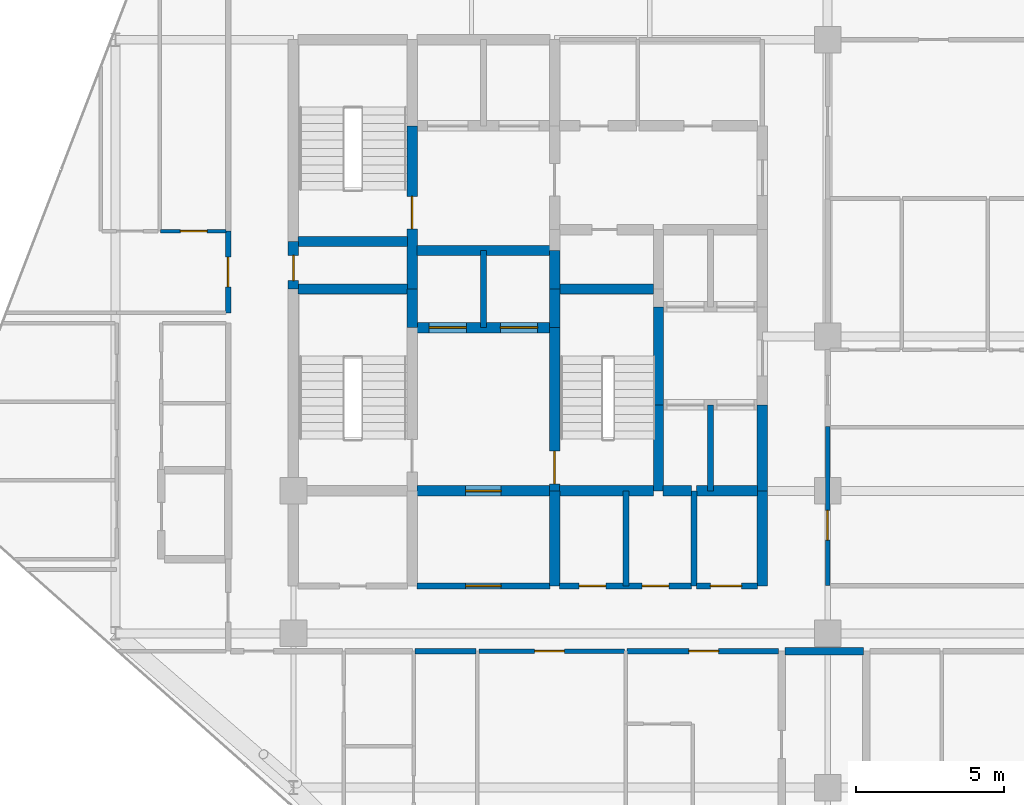
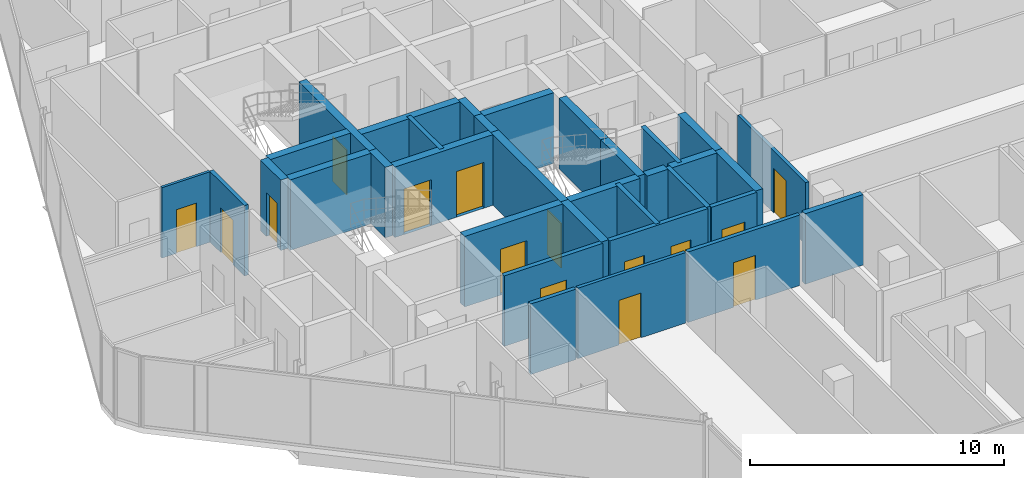
# One storey, part 24 of 29: 34 walls, 15 doors, 15 openings.
"""IFC4 building model written with IfcOpenShell, lengths in metres."""

from ifc_helpers import new_model, si_unit, direction, frame, frame_2d, origin, place, context, subcontext, project, spatial, rectangle, extrude, material, layer, layer_set, type_object, element, fill, save


model = new_model("IFC4")

# Units and contexts
model_context = context("Model", 3, precision=1e-05, world=origin(), true_north=direction((0.0, 1.0)))
body_context = subcontext(model_context, "Body", "Model", "MODEL_VIEW")
ifc_project = project(units=[si_unit("LENGTHUNIT", "METRE"), si_unit("AREAUNIT", "SQUARE_METRE"), si_unit("VOLUMEUNIT", "CUBIC_METRE"), si_unit("PLANEANGLEUNIT", "RADIAN"), si_unit("MASSUNIT", "GRAM", prefix="KILO")], contexts=[model_context])

# Site, building, storey
site_placement = place(None, origin())
site = spatial("IfcSite", under=ifc_project, at=site_placement, CompositionType="ELEMENT")
building_placement = place(site_placement, origin())
building = spatial("IfcBuilding", under=site, at=building_placement, Name="Keshet Zoharim Tower", CompositionType="ELEMENT")
storey_placement = place(building_placement, frame((0.0, 0.0, 192.10009765625)))
storey = spatial("IfcBuildingStorey", under=building, at=storey_placement, Name="L47", CompositionType="ELEMENT", Elevation=192.10009765625)

# Wall, opening, door
ifc_material_1 = material(Name="Gypsum Plasterboard", Category="gypsum")
ifc_layer_1 = layer(ifc_material_1, 0.14990234375)
ifc_layer_set_1 = layer_set([ifc_layer_1], Name="Gypsum Plasterboard")
wall_type_1 = type_object("IfcWallType", Name="WL-CLIN-150", PredefinedType="STANDARD", material=ifc_layer_set_1)
wall_1_placement = place(storey_placement, frame((33.0, 19.510009765625, 0.0), z_axis=(0.0, 0.0, 1.0), x_axis=(0.0, 1.0, 0.0)))
wall_1 = element("IfcWall", 1, at=wall_1_placement, inside=storey, type_object=wall_type_1, Name="L47 Interior Wall 072", PredefinedType="STANDARD", context=body_context, shape_type="SweptSolid", body=[
    extrude(rectangle(XDim=5.35009765625, YDim=0.14990234375, at=frame_2d((2.675048828125, 0.0))), origin(), (0.0, 0.0, 1.0), 2.989990234375),
])
opening_1_placement = place(wall_1_placement, frame((1.533935546875, 0.0, 0.0)))
opening_1 = element("IfcOpeningElement", 2, at=opening_1_placement, cuts=wall_1, Name="Opening D-F310", PredefinedType="OPENING", context=body_context, shape_type="SweptSolid", body=[
    extrude(rectangle(XDim=1.0, YDim=2.14990234375, at=frame_2d((0.5, 1.074951171875))), frame((0.0, 0.0849609375, 0.0), z_axis=(0.0, -1.0, 0.0), x_axis=(1.0, 0.0, 0.0)), (0.0, 0.0, 1.0), 0.169921875),
])
ifc_material_2 = material(Name="Hardwood Timber", Category="wood")
door_type_1 = type_object("IfcDoorType", Name="DR-FD30-100", OperationType="NOTDEFINED", PredefinedType="DOOR", material=ifc_material_2)
door_1_placement = place(opening_1_placement, origin())
door_1 = element("IfcDoor", 3, at=door_1_placement, inside=storey, type_object=door_type_1, Name="L47 South East Residents Services Suite Door 2", OperationType="SINGLE_SWING_RIGHT", OverallHeight=2.14990234375, OverallWidth=1.0, PredefinedType="DOOR", context=body_context, shape_type="SweptSolid", body=[
    extrude(rectangle(XDim=1.0, YDim=2.14990234375, at=frame_2d((0.5, 1.074951171875))), frame((0.0, 0.02490234375, 0.0), z_axis=(0.0, -1.0, 0.0), x_axis=(1.0, 0.0, 0.0)), (0.0, 0.0, 1.0), 0.050048828125),
])
fill(opening_1, door_1)

wall_2_placement = place(storey_placement, frame((21.2451171875, 17.300048828125, 0.0), z_axis=(0.0, 0.0, 1.0), x_axis=(1.0, 0.0, 0.0)))
wall_2 = element("IfcWall", 4, at=wall_2_placement, inside=storey, type_object=wall_type_1, Name="L47 Interior Wall 123", PredefinedType="STANDARD", context=body_context, shape_type="SweptSolid", body=[
    extrude(rectangle(XDim=4.909912109375, YDim=0.14990234375, at=frame_2d((2.455078125, 0.0))), origin(), (0.0, 0.0, 1.0), 3.389892578125),
])
opening_2_placement = place(wall_2_placement, frame((1.884033203125, 0.0, 0.0)))
opening_2 = element("IfcOpeningElement", 5, at=opening_2_placement, cuts=wall_2, Name="Opening D-F310", PredefinedType="OPENING", context=body_context, shape_type="SweptSolid", body=[
    extrude(rectangle(XDim=1.0, YDim=2.14990234375, at=frame_2d((0.5, 1.074951171875))), frame((0.0, 0.0849609375, 0.0), z_axis=(0.0, -1.0, 0.0), x_axis=(1.0, 0.0, 0.0)), (0.0, 0.0, 1.0), 0.169921875),
])
door_2_placement = place(opening_2_placement, origin())
door_2 = element("IfcDoor", 6, at=door_2_placement, inside=storey, type_object=door_type_1, Name="L47 Residents Co-Working Office Door", OperationType="SINGLE_SWING_RIGHT", OverallHeight=2.14990234375, OverallWidth=1.0, PredefinedType="DOOR", context=body_context, shape_type="SweptSolid", body=[
    extrude(rectangle(XDim=1.0, YDim=2.14990234375, at=frame_2d((0.5, 1.074951171875))), frame((0.0, 0.02490234375, 0.0), z_axis=(0.0, -1.0, 0.0), x_axis=(1.0, 0.0, 0.0)), (0.0, 0.0, 1.0), 0.050048828125),
])
fill(opening_2, door_2)

ifc_material_3 = material(Name="Concrete C60/75", Category="concrete")
ifc_layer_2 = layer(ifc_material_3, 0.35009765625)
ifc_layer_set_2 = layer_set([ifc_layer_2], Name="Concrete C60/75")
wall_type_2 = type_object("IfcWallType", Name="WL-CORE-350", PredefinedType="SHEAR", material=ifc_layer_set_2)
wall_3_placement = place(storey_placement, frame((15.0, 29.5, 0.0), z_axis=(0.0, 0.0, 1.0), x_axis=(0.0, 1.0, 0.0)))
wall_3 = element("IfcWall", 7, at=wall_3_placement, inside=storey, type_object=wall_type_2, Name="L47 Core Shear Wall 018", PredefinedType="SHEAR", context=body_context, shape_type="SweptSolid", body=[
    extrude(rectangle(XDim=1.60009765625, YDim=0.35009765625, at=frame_2d((0.800048828125, 0.0))), origin(), (0.0, 0.0, 1.0), 3.389892578125),
])
opening_3_placement = place(wall_3_placement, frame((0.287109375, 0.0, 0.0)))
opening_3 = element("IfcOpeningElement", 8, at=opening_3_placement, cuts=wall_3, Name="Opening D-RS85", PredefinedType="OPENING", context=body_context, shape_type="SweptSolid", body=[
    extrude(rectangle(XDim=0.85009765625, YDim=2.10009765625, at=frame_2d((0.425048828125, 1.050048828125))), frame((0.0, 0.18505859375, 0.0), z_axis=(0.0, -1.0, 0.0), x_axis=(1.0, 0.0, 0.0)), (0.0, 0.0, 1.0), 0.3701171875),
])
door_type_2 = type_object("IfcDoorType", Name="DR-RIS-085", OperationType="NOTDEFINED", PredefinedType="DOOR", material=ifc_material_2)
door_3_placement = place(opening_3_placement, origin())
door_3 = element("IfcDoor", 9, at=door_3_placement, inside=storey, type_object=door_type_2, Name="L47 Electrical Riser Access Cupboard Door", OperationType="SINGLE_SWING_RIGHT", OverallHeight=2.10009765625, OverallWidth=0.85009765625, PredefinedType="DOOR", context=body_context, shape_type="SweptSolid", body=[
    extrude(rectangle(XDim=0.85009765625, YDim=2.10009765625, at=frame_2d((0.425048828125, 1.050048828125))), frame((0.0, 0.02490234375, 0.0), z_axis=(0.0, -1.0, 0.0), x_axis=(1.0, 0.0, 0.0)), (0.0, 0.0, 1.0), 0.050048828125),
])
fill(opening_3, door_3)

# Wall
wall_4_placement = place(storey_placement, frame((19.0, 28.199951171875, 0.0), z_axis=(0.0, 0.0, 1.0), x_axis=(0.0, 1.0, 0.0)))
element("IfcWall", 10, at=wall_4_placement, inside=storey, type_object=wall_type_2, Name="L47 Core Shear Wall 026", PredefinedType="SHEAR", context=body_context, shape_type="SweptSolid", body=[
    extrude(rectangle(XDim=1.300048828125, YDim=0.35009765625, at=frame_2d((0.64990234375, 0.0))), origin(), (0.0, 0.0, 1.0), 3.389892578125),
])

# Wall, opening, door
wall_5_placement = place(storey_placement, frame((19.0, 29.5, 0.0), z_axis=(0.0, 0.0, 1.0), x_axis=(0.0, 1.0, 0.0)))
wall_5 = element("IfcWall", 11, at=wall_5_placement, inside=storey, type_object=wall_type_2, Name="L47 Core Shear Wall 027", PredefinedType="SHEAR", context=body_context, shape_type="SweptSolid", body=[
    extrude(rectangle(XDim=5.5, YDim=0.35009765625, at=frame_2d((2.75, 0.0))), origin(), (0.0, 0.0, 1.0), 3.389892578125),
])
opening_4_placement = place(wall_5_placement, frame((2.02490234375, 0.0, 0.0)))
opening_4 = element("IfcOpeningElement", 12, at=opening_4_placement, cuts=wall_5, Name="Opening D-F611", PredefinedType="OPENING", context=body_context, shape_type="SweptSolid", body=[
    extrude(rectangle(XDim=1.10009765625, YDim=2.14990234375, at=frame_2d((0.550048828125, 1.074951171875))), frame((0.0, 0.18505859375, 0.0), z_axis=(0.0, -1.0, 0.0), x_axis=(1.0, 0.0, 0.0)), (0.0, 0.0, 1.0), 0.3701171875),
])
door_type_3 = type_object("IfcDoorType", Name="DR-FD60-110", OperationType="NOTDEFINED", PredefinedType="DOOR", material=ifc_material_2)
door_4_placement = place(opening_4_placement, origin())
door_4 = element("IfcDoor", 13, at=door_4_placement, inside=storey, type_object=door_type_3, Name="L47 Exit Stair ST-02 Fire Door", OperationType="SINGLE_SWING_LEFT", OverallHeight=2.14990234375, OverallWidth=1.10009765625, PredefinedType="DOOR", context=body_context, shape_type="SweptSolid", body=[
    extrude(rectangle(XDim=1.10009765625, YDim=2.14990234375, at=frame_2d((0.550048828125, 1.074951171875))), frame((0.0, 0.02490234375, 0.0), z_axis=(0.0, -1.0, 0.0), x_axis=(1.0, 0.0, 0.0)), (0.0, 0.0, 1.0), 0.050048828125),
])
fill(opening_4, door_4)

# Wall
wall_6_placement = place(storey_placement, frame((23.800048828125, 19.5, 0.0), z_axis=(0.0, 0.0, 1.0), x_axis=(0.0, 1.0, 0.0)))
element("IfcWall", 14, at=wall_6_placement, inside=storey, type_object=wall_type_2, Name="L47 Core Shear Wall 037", PredefinedType="SHEAR", context=body_context, shape_type="SweptSolid", body=[
    extrude(rectangle(XDim=3.199951171875, YDim=0.35009765625, at=frame_2d((1.60009765625, 0.0))), origin(), (0.0, 0.0, 1.0), 3.389892578125),
])

# Wall, opening, door
wall_7_placement = place(storey_placement, frame((23.800048828125, 22.699951171875, 0.0), z_axis=(0.0, 0.0, 1.0), x_axis=(0.0, 1.0, 0.0)))
wall_7 = element("IfcWall", 15, at=wall_7_placement, inside=storey, type_object=wall_type_2, Name="L47 Core Shear Wall 038", PredefinedType="SHEAR", context=body_context, shape_type="SweptSolid", body=[
    extrude(rectangle(XDim=5.5, YDim=0.35009765625, at=frame_2d((2.75, 0.0))), origin(), (0.0, 0.0, 1.0), 3.389892578125),
])
opening_5_placement = place(wall_7_placement, frame((0.235107421875, 0.0, 0.0)))
opening_5 = element("IfcOpeningElement", 16, at=opening_5_placement, cuts=wall_7, Name="Opening D-F611", PredefinedType="OPENING", context=body_context, shape_type="SweptSolid", body=[
    extrude(rectangle(XDim=1.10009765625, YDim=2.14990234375, at=frame_2d((0.550048828125, 1.074951171875))), frame((0.0, 0.18505859375, 0.0), z_axis=(0.0, -1.0, 0.0), x_axis=(1.0, 0.0, 0.0)), (0.0, 0.0, 1.0), 0.3701171875),
])
door_5_placement = place(opening_5_placement, frame((1.10009765625, 0.0, 0.0), z_axis=(0.0, 0.0, 1.0), x_axis=(-1.0, 0.0, 0.0)))
door_5 = element("IfcDoor", 17, at=door_5_placement, inside=storey, type_object=door_type_3, Name="L47 Exit Stair ST-03 Fire Door", OperationType="SINGLE_SWING_LEFT", OverallHeight=2.14990234375, OverallWidth=1.10009765625, PredefinedType="DOOR", context=body_context, shape_type="SweptSolid", body=[
    extrude(rectangle(XDim=1.10009765625, YDim=2.14990234375, at=frame_2d((0.550048828125, 1.074951171875))), frame((0.0, 0.02490234375, 0.0), z_axis=(0.0, -1.0, 0.0), x_axis=(1.0, 0.0, 0.0)), (0.0, 0.0, 1.0), 0.050048828125),
])
fill(opening_5, door_5)

# Walls
for number, where, z_axis, x_axis, name in (
    (18, (23.800048828125, 28.199951171875, 0.0), (0.0, 0.0, 1.0), (0.0, 1.0, 0.0), "L47 Core Shear Wall 039"),
    (19, (23.800048828125, 29.5, 0.0), (0.0, 0.0, 1.0), (0.0, 1.0, 0.0), "L47 Core Shear Wall 040"),
):
    element("IfcWall", number, at=place(storey_placement, frame(where, z_axis=z_axis, x_axis=x_axis)), inside=storey, type_object=wall_type_2, Name=name, PredefinedType="SHEAR", context=body_context, shape_type="SweptSolid", body=[
        extrude(rectangle(XDim=1.300048828125, YDim=0.35009765625, at=frame_2d((0.64990234375, 0.0))), origin(), (0.0, 0.0, 1.0), 3.389892578125),
    ])
wall_8_placement = place(storey_placement, frame((27.300048828125, 22.699951171875, 0.0), z_axis=(0.0, 0.0, 1.0), x_axis=(0.0, 1.0, 0.0)))
element("IfcWall", 20, at=wall_8_placement, inside=storey, type_object=wall_type_2, Name="L47 Core Shear Wall 051", PredefinedType="SHEAR", context=body_context, shape_type="SweptSolid", body=[
    extrude(rectangle(XDim=2.900146484375, YDim=0.35009765625, at=frame_2d((1.4501953125, 0.0))), origin(), (0.0, 0.0, 1.0), 3.389892578125),
])
wall_9_placement = place(storey_placement, frame((27.300048828125, 25.60009765625, 0.0), z_axis=(0.0, 0.0, 1.0), x_axis=(0.0, 1.0, 0.0)))
element("IfcWall", 21, at=wall_9_placement, inside=storey, type_object=wall_type_2, Name="L47 Core Shear Wall 052", PredefinedType="SHEAR", context=body_context, shape_type="SweptSolid", body=[
    extrude(rectangle(XDim=3.2998046875, YDim=0.35009765625, at=frame_2d((1.64990234375, 0.0))), origin(), (0.0, 0.0, 1.0), 3.389892578125),
])
wall_10_placement = place(storey_placement, frame((30.800048828125, 19.5, 0.0), z_axis=(0.0, 0.0, 1.0), x_axis=(0.0, 1.0, 0.0)))
element("IfcWall", 22, at=wall_10_placement, inside=storey, type_object=wall_type_2, Name="L47 Core Shear Wall 060", PredefinedType="SHEAR", context=body_context, shape_type="SweptSolid", body=[
    extrude(rectangle(XDim=3.199951171875, YDim=0.35009765625, at=frame_2d((1.60009765625, 0.0))), origin(), (0.0, 0.0, 1.0), 3.389892578125),
])
wall_11_placement = place(storey_placement, frame((30.800048828125, 22.699951171875, 0.0), z_axis=(0.0, 0.0, 1.0), x_axis=(0.0, 1.0, 0.0)))
element("IfcWall", 23, at=wall_11_placement, inside=storey, type_object=wall_type_2, Name="L47 Core Shear Wall 061", PredefinedType="SHEAR", context=body_context, shape_type="SweptSolid", body=[
    extrude(rectangle(XDim=2.900146484375, YDim=0.35009765625, at=frame_2d((1.4501953125, 0.0))), origin(), (0.0, 0.0, 1.0), 3.389892578125),
])

# Wall, opening, door
wall_12_placement = place(storey_placement, frame((19.159912109375, 22.699951171875, 0.0), z_axis=(0.0, 0.0, 1.0), x_axis=(1.0, 0.0, 0.0)))
wall_12 = element("IfcWall", 24, at=wall_12_placement, inside=storey, type_object=wall_type_2, Name="L47 Core Shear Wall 143", PredefinedType="SHEAR", context=body_context, shape_type="SweptSolid", body=[
    extrude(rectangle(XDim=4.47998046875, YDim=0.35009765625, at=frame_2d((2.239990234375, 0.0))), origin(), (0.0, 0.0, 1.0), 3.389892578125),
])
opening_6_placement = place(wall_12_placement, frame((1.639892578125, 0.0, 0.0)))
opening_6 = element("IfcOpeningElement", 25, at=opening_6_placement, cuts=wall_12, Name="Opening D-F612", PredefinedType="OPENING", context=body_context, shape_type="SweptSolid", body=[
    extrude(rectangle(XDim=1.199951171875, YDim=2.199951171875, at=frame_2d((0.60009765625, 1.10009765625))), frame((0.0, 0.18505859375, 0.0), z_axis=(0.0, -1.0, 0.0), x_axis=(1.0, 0.0, 0.0)), (0.0, 0.0, 1.0), 0.3701171875),
])
door_type_4 = type_object("IfcDoorType", Name="DR-FD60-120", OperationType="NOTDEFINED", PredefinedType="DOOR", material=ifc_material_2)
door_6_placement = place(opening_6_placement, origin())
door_6 = element("IfcDoor", 26, at=door_6_placement, inside=storey, type_object=door_type_4, Name="L47 South Core Lobby Fire Door", OperationType="SINGLE_SWING_LEFT", OverallHeight=2.199951171875, OverallWidth=1.199951171875, PredefinedType="DOOR", context=body_context, shape_type="SweptSolid", body=[
    extrude(rectangle(XDim=1.199951171875, YDim=2.199951171875, at=frame_2d((0.60009765625, 1.10009765625))), frame((0.0, 0.02490234375, 0.0), z_axis=(0.0, -1.0, 0.0), x_axis=(1.0, 0.0, 0.0)), (0.0, 0.0, 1.0), 0.050048828125),
])
fill(opening_6, door_6)

# Walls
wall_13_placement = place(storey_placement, frame((23.9599609375, 22.699951171875, 0.0), z_axis=(0.0, 0.0, 1.0), x_axis=(1.0, 0.0, 0.0)))
element("IfcWall", 27, at=wall_13_placement, inside=storey, type_object=wall_type_2, Name="L47 Core Shear Wall 144", PredefinedType="SHEAR", context=body_context, shape_type="SweptSolid", body=[
    extrude(rectangle(XDim=3.179931640625, YDim=0.35009765625, at=frame_2d((1.58984375, 0.0))), origin(), (0.0, 0.0, 1.0), 3.389892578125),
])
wall_14_placement = place(storey_placement, frame((27.4599609375, 22.699951171875, 0.0), z_axis=(0.0, 0.0, 1.0), x_axis=(1.0, 0.0, 0.0)))
element("IfcWall", 28, at=wall_14_placement, inside=storey, type_object=wall_type_2, Name="L47 Core Shear Wall 145", PredefinedType="SHEAR", context=body_context, shape_type="SweptSolid", body=[
    extrude(rectangle(XDim=0.955078125, YDim=0.35009765625, at=frame_2d((0.4775390625, 0.0))), origin(), (0.0, 0.0, 1.0), 3.389892578125),
])
wall_15_placement = place(storey_placement, frame((28.5849609375, 22.699951171875, 0.0), z_axis=(0.0, 0.0, 1.0), x_axis=(1.0, 0.0, 0.0)))
element("IfcWall", 29, at=wall_15_placement, inside=storey, type_object=wall_type_2, Name="L47 Core Shear Wall 146", PredefinedType="SHEAR", context=body_context, shape_type="SweptSolid", body=[
    extrude(rectangle(XDim=2.054931640625, YDim=0.35009765625, at=frame_2d((1.02734375, 0.0))), origin(), (0.0, 0.0, 1.0), 3.389892578125),
])

# Wall, openings, doors
wall_16_placement = place(storey_placement, frame((19.159912109375, 28.199951171875, 0.0), z_axis=(0.0, 0.0, 1.0), x_axis=(1.0, 0.0, 0.0)))
wall_16 = element("IfcWall", 30, at=wall_16_placement, inside=storey, type_object=wall_type_2, Name="L47 Core Shear Wall 156", PredefinedType="SHEAR", context=body_context, shape_type="SweptSolid", body=[
    extrude(rectangle(XDim=4.47998046875, YDim=0.35009765625, at=frame_2d((2.239990234375, 0.0))), origin(), (0.0, 0.0, 1.0), 3.389892578125),
])
opening_7_placement = place(wall_16_placement, frame((0.4150390625, 0.0, 0.0)))
opening_7 = element("IfcOpeningElement", 31, at=opening_7_placement, cuts=wall_16, Name="Opening LD-01", PredefinedType="OPENING", context=body_context, shape_type="SweptSolid", body=[
    extrude(rectangle(XDim=1.25, YDim=2.199951171875, at=frame_2d((0.625, 1.10009765625))), frame((0.0, 0.18505859375, 0.0), z_axis=(0.0, -1.0, 0.0), x_axis=(1.0, 0.0, 0.0)), (0.0, 0.0, 1.0), 0.3701171875),
])
opening_8_placement = place(wall_16_placement, frame((2.81494140625, 0.0, 0.0)))
opening_8 = element("IfcOpeningElement", 32, at=opening_8_placement, cuts=wall_16, Name="Opening LD-01", PredefinedType="OPENING", context=body_context, shape_type="SweptSolid", body=[
    extrude(rectangle(XDim=1.25, YDim=2.199951171875, at=frame_2d((0.625, 1.10009765625))), frame((0.0, 0.18505859375, 0.0), z_axis=(0.0, -1.0, 0.0), x_axis=(1.0, 0.0, 0.0)), (0.0, 0.0, 1.0), 0.3701171875),
])
ifc_material_4 = material(Name="Steel S355", Category="steel")
door_type_5 = type_object("IfcDoorType", Name="DR-LD01-125", OperationType="DOUBLE_DOOR_SLIDING", PredefinedType="DOOR", material=ifc_material_4)
door_7_placement = place(opening_7_placement, origin())
door_7 = element("IfcDoor", 33, at=door_7_placement, inside=storey, type_object=door_type_5, Name="L47 Passenger Lift Landing Door LF-09", OperationType="DOUBLE_DOOR_SLIDING", OverallHeight=2.199951171875, OverallWidth=1.25, PredefinedType="DOOR", context=body_context, shape_type="SweptSolid", body=[
    extrude(rectangle(XDim=1.25, YDim=2.199951171875, at=frame_2d((0.625, 1.10009765625))), frame((0.0, 0.02490234375, 0.0), z_axis=(0.0, -1.0, 0.0), x_axis=(1.0, 0.0, 0.0)), (0.0, 0.0, 1.0), 0.050048828125),
])
fill(opening_7, door_7)
door_8_placement = place(opening_8_placement, origin())
door_8 = element("IfcDoor", 34, at=door_8_placement, inside=storey, type_object=door_type_5, Name="L47 Passenger Lift Landing Door LF-10", OperationType="DOUBLE_DOOR_SLIDING", OverallHeight=2.199951171875, OverallWidth=1.25, PredefinedType="DOOR", context=body_context, shape_type="SweptSolid", body=[
    extrude(rectangle(XDim=1.25, YDim=2.199951171875, at=frame_2d((0.625, 1.10009765625))), frame((0.0, 0.02490234375, 0.0), z_axis=(0.0, -1.0, 0.0), x_axis=(1.0, 0.0, 0.0)), (0.0, 0.0, 1.0), 0.050048828125),
])
fill(opening_8, door_8)

# Walls
wall_17_placement = place(storey_placement, frame((15.159912109375, 29.5, 0.0), z_axis=(0.0, 0.0, 1.0), x_axis=(1.0, 0.0, 0.0)))
element("IfcWall", 35, at=wall_17_placement, inside=storey, type_object=wall_type_2, Name="L47 Core Shear Wall 162", PredefinedType="SHEAR", context=body_context, shape_type="SweptSolid", body=[
    extrude(rectangle(XDim=3.68017578125, YDim=0.35009765625, at=frame_2d((1.840087890625, 0.0))), origin(), (0.0, 0.0, 1.0), 3.389892578125),
])
wall_18_placement = place(storey_placement, frame((23.9599609375, 29.5, 0.0), z_axis=(0.0, 0.0, 1.0), x_axis=(1.0, 0.0, 0.0)))
element("IfcWall", 36, at=wall_18_placement, inside=storey, type_object=wall_type_2, Name="L47 Core Shear Wall 163", PredefinedType="SHEAR", context=body_context, shape_type="SweptSolid", body=[
    extrude(rectangle(XDim=3.179931640625, YDim=0.35009765625, at=frame_2d((1.58984375, 0.0))), origin(), (0.0, 0.0, 1.0), 3.389892578125),
])
wall_19_placement = place(storey_placement, frame((19.159912109375, 30.800048828125, 0.0), z_axis=(0.0, 0.0, 1.0), x_axis=(1.0, 0.0, 0.0)))
element("IfcWall", 37, at=wall_19_placement, inside=storey, type_object=wall_type_2, Name="L47 Core Shear Wall 164", PredefinedType="SHEAR", context=body_context, shape_type="SweptSolid", body=[
    extrude(rectangle(XDim=4.47998046875, YDim=0.35009765625, at=frame_2d((2.239990234375, 0.0))), origin(), (0.0, 0.0, 1.0), 3.389892578125),
])
wall_20_placement = place(storey_placement, frame((15.159912109375, 31.10009765625, 0.0), z_axis=(0.0, 0.0, 1.0), x_axis=(1.0, 0.0, 0.0)))
element("IfcWall", 38, at=wall_20_placement, inside=storey, type_object=wall_type_2, Name="L47 Core Shear Wall 165", PredefinedType="SHEAR", context=body_context, shape_type="SweptSolid", body=[
    extrude(rectangle(XDim=3.68017578125, YDim=0.35009765625, at=frame_2d((1.840087890625, 0.0))), origin(), (0.0, 0.0, 1.0), 3.389892578125),
])

# Wall, opening, door
ifc_layer_3 = layer(ifc_material_1, 0.179931640625)
ifc_layer_set_3 = layer_set([ifc_layer_3], Name="Gypsum Plasterboard")
wall_type_3 = type_object("IfcWallType", Name="WL-CORR-180", PredefinedType="STANDARD", material=ifc_layer_set_3)
wall_21_placement = place(storey_placement, frame((12.800048828125, 28.699951171875, 0.0), z_axis=(0.0, 0.0, 1.0), x_axis=(0.0, 1.0, 0.0)))
wall_21 = element("IfcWall", 39, at=wall_21_placement, inside=storey, type_object=wall_type_3, Name="L47 Interior Wall 011", PredefinedType="STANDARD", context=body_context, shape_type="SweptSolid", body=[
    extrude(rectangle(XDim=2.75, YDim=0.179931640625, at=frame_2d((1.375, 0.0))), origin(), (0.0, 0.0, 1.0), 3.389892578125),
])
opening_9_placement = place(wall_21_placement, frame((0.875, 0.0, 0.0)))
opening_9 = element("IfcOpeningElement", 40, at=opening_9_placement, cuts=wall_21, Name="Opening D-F310", PredefinedType="OPENING", context=body_context, shape_type="SweptSolid", body=[
    extrude(rectangle(XDim=1.0, YDim=2.14990234375, at=frame_2d((0.5, 1.074951171875))), frame((0.0, 0.10009765625, 0.0), z_axis=(0.0, -1.0, 0.0), x_axis=(1.0, 0.0, 0.0)), (0.0, 0.0, 1.0), 0.199951171875),
])
door_9_placement = place(opening_9_placement, origin())
door_9 = element("IfcDoor", 41, at=door_9_placement, inside=storey, type_object=door_type_1, Name="Apartment 4707 Entrance Door", OperationType="SINGLE_SWING_LEFT", OverallHeight=2.14990234375, OverallWidth=1.0, PredefinedType="DOOR", context=body_context, shape_type="SweptSolid", body=[
    extrude(rectangle(XDim=1.0, YDim=2.14990234375, at=frame_2d((0.5, 1.074951171875))), frame((0.0, 0.02490234375, 0.0), z_axis=(0.0, -1.0, 0.0), x_axis=(1.0, 0.0, 0.0)), (0.0, 0.0, 1.0), 0.050048828125),
])
fill(opening_9, door_9)

# Wall
wall_22_placement = place(storey_placement, frame((19.094970703125, 17.300048828125, 0.0), z_axis=(0.0, 0.0, 1.0), x_axis=(1.0, 0.0, 0.0)))
element("IfcWall", 42, at=wall_22_placement, inside=storey, type_object=wall_type_3, Name="L47 Interior Wall 122", PredefinedType="STANDARD", context=body_context, shape_type="SweptSolid", body=[
    extrude(rectangle(XDim=2.06005859375, YDim=0.179931640625, at=frame_2d((1.030029296875, 0.0))), origin(), (0.0, 0.0, 1.0), 3.389892578125),
])

# Wall, opening, door
wall_23_placement = place(storey_placement, frame((26.2451171875, 17.300048828125, 0.0), z_axis=(0.0, 0.0, 1.0), x_axis=(1.0, 0.0, 0.0)))
wall_23 = element("IfcWall", 43, at=wall_23_placement, inside=storey, type_object=wall_type_3, Name="L47 Interior Wall 124", PredefinedType="STANDARD", context=body_context, shape_type="SweptSolid", body=[
    extrude(rectangle(XDim=5.094970703125, YDim=0.179931640625, at=frame_2d((2.54736328125, 0.0))), origin(), (0.0, 0.0, 1.0), 3.389892578125),
])
opening_10_placement = place(wall_23_placement, frame((2.080078125, 0.0, 0.0)))
opening_10 = element("IfcOpeningElement", 44, at=opening_10_placement, cuts=wall_23, Name="Opening D-F310", PredefinedType="OPENING", context=body_context, shape_type="SweptSolid", body=[
    extrude(rectangle(XDim=1.0, YDim=2.14990234375, at=frame_2d((0.5, 1.074951171875))), frame((0.0, 0.10009765625, 0.0), z_axis=(0.0, -1.0, 0.0), x_axis=(1.0, 0.0, 0.0)), (0.0, 0.0, 1.0), 0.199951171875),
])
door_10_placement = place(opening_10_placement, origin())
door_10 = element("IfcDoor", 45, at=door_10_placement, inside=storey, type_object=door_type_1, Name="Apartment 4702 Entrance Door", OperationType="SINGLE_SWING_LEFT", OverallHeight=2.14990234375, OverallWidth=1.0, PredefinedType="DOOR", context=body_context, shape_type="SweptSolid", body=[
    extrude(rectangle(XDim=1.0, YDim=2.14990234375, at=frame_2d((0.5, 1.074951171875))), frame((0.0, 0.02490234375, 0.0), z_axis=(0.0, -1.0, 0.0), x_axis=(1.0, 0.0, 0.0)), (0.0, 0.0, 1.0), 0.050048828125),
])
fill(opening_10, door_10)

# Walls
ifc_material_5 = material(Name="Concrete C50/60", Category="concrete")
ifc_layer_4 = layer(ifc_material_5, 0.199951171875)
ifc_layer_set_4 = layer_set([ifc_layer_4], Name="Concrete C50/60")
wall_type_4 = type_object("IfcWallType", Name="WL-FIRE-200", PredefinedType="STANDARD", material=ifc_layer_set_4)
wall_24_placement = place(storey_placement, frame((21.39990234375, 28.199951171875, 0.0), z_axis=(0.0, 0.0, 1.0), x_axis=(0.0, 1.0, 0.0)))
element("IfcWall", 46, at=wall_24_placement, inside=storey, type_object=wall_type_4, Name="L47 Interior Wall 034", PredefinedType="STANDARD", context=body_context, shape_type="SweptSolid", body=[
    extrude(rectangle(XDim=2.60009765625, YDim=0.199951171875, at=frame_2d((1.300048828125, 0.0))), origin(), (0.0, 0.0, 1.0), 3.389892578125),
])
for number, where, z_axis, x_axis, name in (
    (47, (26.199951171875, 19.5, 0.0), (0.0, 0.0, 1.0), (0.0, 1.0, 0.0), "L47 Interior Wall 047"),
    (48, (28.5, 19.5, 0.0), (0.0, 0.0, 1.0), (0.0, 1.0, 0.0), "L47 Interior Wall 056"),
):
    element("IfcWall", number, at=place(storey_placement, frame(where, z_axis=z_axis, x_axis=x_axis)), inside=storey, type_object=wall_type_4, Name=name, PredefinedType="STANDARD", context=body_context, shape_type="SweptSolid", body=[
        extrude(rectangle(XDim=3.199951171875, YDim=0.199951171875, at=frame_2d((1.60009765625, 0.0))), origin(), (0.0, 0.0, 1.0), 3.389892578125),
    ])
wall_25_placement = place(storey_placement, frame((29.050048828125, 22.699951171875, 0.0), z_axis=(0.0, 0.0, 1.0), x_axis=(0.0, 1.0, 0.0)))
element("IfcWall", 49, at=wall_25_placement, inside=storey, type_object=wall_type_4, Name="L47 Interior Wall 058", PredefinedType="STANDARD", context=body_context, shape_type="SweptSolid", body=[
    extrude(rectangle(XDim=2.900146484375, YDim=0.199951171875, at=frame_2d((1.4501953125, 0.0))), origin(), (0.0, 0.0, 1.0), 3.389892578125),
])

# Wall, opening, door
wall_26_placement = place(storey_placement, frame((19.159912109375, 19.5, 0.0), z_axis=(0.0, 0.0, 1.0), x_axis=(1.0, 0.0, 0.0)))
wall_26 = element("IfcWall", 50, at=wall_26_placement, inside=storey, type_object=wall_type_4, Name="L47 Interior Wall 135", PredefinedType="STANDARD", context=body_context, shape_type="SweptSolid", body=[
    extrude(rectangle(XDim=4.47998046875, YDim=0.199951171875, at=frame_2d((2.239990234375, 0.0))), origin(), (0.0, 0.0, 1.0), 3.389892578125),
])
opening_11_placement = place(wall_26_placement, frame((1.639892578125, 0.0, 0.0)))
opening_11 = element("IfcOpeningElement", 51, at=opening_11_placement, cuts=wall_26, Name="Opening D-F612", PredefinedType="OPENING", context=body_context, shape_type="SweptSolid", body=[
    extrude(rectangle(XDim=1.199951171875, YDim=2.199951171875, at=frame_2d((0.60009765625, 1.10009765625))), frame((0.0, 0.10986328125, 0.0), z_axis=(0.0, -1.0, 0.0), x_axis=(1.0, 0.0, 0.0)), (0.0, 0.0, 1.0), 0.219970703125),
])
door_11_placement = place(opening_11_placement, origin())
door_11 = element("IfcDoor", 52, at=door_11_placement, inside=storey, type_object=door_type_4, Name="L47 South Vestibule Corridor Door", OperationType="SINGLE_SWING_RIGHT", OverallHeight=2.199951171875, OverallWidth=1.199951171875, PredefinedType="DOOR", context=body_context, shape_type="SweptSolid", body=[
    extrude(rectangle(XDim=1.199951171875, YDim=2.199951171875, at=frame_2d((0.60009765625, 1.10009765625))), frame((0.0, 0.02490234375, 0.0), z_axis=(0.0, -1.0, 0.0), x_axis=(1.0, 0.0, 0.0)), (0.0, 0.0, 1.0), 0.050048828125),
])
fill(opening_11, door_11)

# Wall, openings, doors
wall_27_placement = place(storey_placement, frame((23.9599609375, 19.5, 0.0), z_axis=(0.0, 0.0, 1.0), x_axis=(1.0, 0.0, 0.0)))
wall_27 = element("IfcWall", 53, at=wall_27_placement, inside=storey, type_object=wall_type_4, Name="L47 Interior Wall 136", PredefinedType="STANDARD", context=body_context, shape_type="SweptSolid", body=[
    extrude(rectangle(XDim=4.455078125, YDim=0.199951171875, at=frame_2d((2.2275390625, 0.0))), origin(), (0.0, 0.0, 1.0), 3.389892578125),
])
opening_12_placement = place(wall_27_placement, frame((0.6650390625, 0.0, 0.0)))
opening_12 = element("IfcOpeningElement", 54, at=opening_12_placement, cuts=wall_27, Name="Opening D-F690", PredefinedType="OPENING", context=body_context, shape_type="SweptSolid", body=[
    extrude(rectangle(XDim=0.89990234375, YDim=2.14990234375, at=frame_2d((0.449951171875, 1.074951171875))), frame((0.0, 0.10986328125, 0.0), z_axis=(0.0, -1.0, 0.0), x_axis=(1.0, 0.0, 0.0)), (0.0, 0.0, 1.0), 0.219970703125),
])
opening_13_placement = place(wall_27_placement, frame((2.791015625, 0.0, 0.0)))
opening_13 = element("IfcOpeningElement", 55, at=opening_13_placement, cuts=wall_27, Name="Opening D-F690", PredefinedType="OPENING", context=body_context, shape_type="SweptSolid", body=[
    extrude(rectangle(XDim=0.89990234375, YDim=2.14990234375, at=frame_2d((0.449951171875, 1.074951171875))), frame((0.0, 0.10986328125, 0.0), z_axis=(0.0, -1.0, 0.0), x_axis=(1.0, 0.0, 0.0)), (0.0, 0.0, 1.0), 0.219970703125),
])
door_type_6 = type_object("IfcDoorType", Name="DR-FD60-090", OperationType="NOTDEFINED", PredefinedType="DOOR", material=ifc_material_2)
door_12_placement = place(opening_12_placement, origin())
door_12 = element("IfcDoor", 56, at=door_12_placement, inside=storey, type_object=door_type_6, Name="L47 Switchgear Room Door", OperationType="SINGLE_SWING_LEFT", OverallHeight=2.14990234375, OverallWidth=0.89990234375, PredefinedType="DOOR", context=body_context, shape_type="SweptSolid", body=[
    extrude(rectangle(XDim=0.89990234375, YDim=2.14990234375, at=frame_2d((0.449951171875, 1.074951171875))), frame((0.0, 0.02490234375, 0.0), z_axis=(0.0, -1.0, 0.0), x_axis=(1.0, 0.0, 0.0)), (0.0, 0.0, 1.0), 0.050048828125),
])
fill(opening_12, door_12)
door_13_placement = place(opening_13_placement, origin())
door_13 = element("IfcDoor", 57, at=door_13_placement, inside=storey, type_object=door_type_6, Name="L47 Telecom Room Door", OperationType="SINGLE_SWING_RIGHT", OverallHeight=2.14990234375, OverallWidth=0.89990234375, PredefinedType="DOOR", context=body_context, shape_type="SweptSolid", body=[
    extrude(rectangle(XDim=0.89990234375, YDim=2.14990234375, at=frame_2d((0.449951171875, 1.074951171875))), frame((0.0, 0.02490234375, 0.0), z_axis=(0.0, -1.0, 0.0), x_axis=(1.0, 0.0, 0.0)), (0.0, 0.0, 1.0), 0.050048828125),
])
fill(opening_13, door_13)

# Wall, opening, door
wall_28_placement = place(storey_placement, frame((28.5849609375, 19.5, 0.0), z_axis=(0.0, 0.0, 1.0), x_axis=(1.0, 0.0, 0.0)))
wall_28 = element("IfcWall", 58, at=wall_28_placement, inside=storey, type_object=wall_type_4, Name="L47 Interior Wall 137", PredefinedType="STANDARD", context=body_context, shape_type="SweptSolid", body=[
    extrude(rectangle(XDim=2.054931640625, YDim=0.199951171875, at=frame_2d((1.02734375, 0.0))), origin(), (0.0, 0.0, 1.0), 3.389892578125),
])
opening_14_placement = place(wall_28_placement, frame((0.466064453125, 0.0, 0.0)))
opening_14 = element("IfcOpeningElement", 59, at=opening_14_placement, cuts=wall_28, Name="Opening D-AC10", PredefinedType="OPENING", context=body_context, shape_type="SweptSolid", body=[
    extrude(rectangle(XDim=1.050048828125, YDim=2.14990234375, at=frame_2d((0.52490234375, 1.074951171875))), frame((0.0, 0.10986328125, 0.0), z_axis=(0.0, -1.0, 0.0), x_axis=(1.0, 0.0, 0.0)), (0.0, 0.0, 1.0), 0.219970703125),
])
door_type_7 = type_object("IfcDoorType", Name="DR-ACC-105", OperationType="NOTDEFINED", PredefinedType="DOOR", material=ifc_material_2)
door_14_placement = place(opening_14_placement, origin())
door_14 = element("IfcDoor", 60, at=door_14_placement, inside=storey, type_object=door_type_7, Name="L47 Accessible WC Door", OperationType="SINGLE_SWING_LEFT", OverallHeight=2.14990234375, OverallWidth=1.050048828125, PredefinedType="DOOR", context=body_context, shape_type="SweptSolid", body=[
    extrude(rectangle(XDim=1.050048828125, YDim=2.14990234375, at=frame_2d((0.52490234375, 1.074951171875))), frame((0.0, 0.02490234375, 0.0), z_axis=(0.0, -1.0, 0.0), x_axis=(1.0, 0.0, 0.0)), (0.0, 0.0, 1.0), 0.050048828125),
])
fill(opening_14, door_14)

# Wall
ifc_layer_5 = layer(ifc_material_5, 0.25)
ifc_layer_set_5 = layer_set([ifc_layer_5], Name="Concrete C50/60")
wall_type_5 = type_object("IfcWallType", Name="WL-MAMAD-250", PredefinedType="STANDARD", material=ifc_layer_set_5)
wall_29_placement = place(storey_placement, frame((31.56005859375, 17.300048828125, 0.0), z_axis=(0.0, 0.0, 1.0), x_axis=(1.0, 0.0, 0.0)))
element("IfcWall", 61, at=wall_29_placement, inside=storey, type_object=wall_type_5, Name="L47 Interior Wall 125", PredefinedType="STANDARD", context=body_context, shape_type="SweptSolid", body=[
    extrude(rectangle(XDim=2.64501953125, YDim=0.25, at=frame_2d((1.322509765625, 0.0))), origin(), (0.0, 0.0, 1.0), 3.389892578125),
])

# Wall, opening, door
ifc_layer_6 = layer(ifc_material_1, 0.1201171875)
ifc_layer_set_6 = layer_set([ifc_layer_6], Name="Gypsum Plasterboard")
wall_type_6 = type_object("IfcWallType", Name="WL-WET-120", PredefinedType="PARTITIONING", material=ifc_layer_set_6)
wall_30_placement = place(storey_placement, frame((10.52294921875, 31.449951171875, 0.0), z_axis=(0.0, 0.0, 1.0), x_axis=(1.0, 0.0, 0.0)))
wall_30 = element("IfcWall", 62, at=wall_30_placement, inside=storey, type_object=wall_type_6, Name="L47 Interior Wall 167", PredefinedType="PARTITIONING", context=body_context, shape_type="SweptSolid", body=[
    extrude(rectangle(XDim=2.2021484375, YDim=0.1201171875, at=frame_2d((1.10107421875, 0.0))), origin(), (0.0, 0.0, 1.0), 3.389892578125),
])
opening_15_placement = place(wall_30_placement, frame((0.666015625, 0.0, 0.0)))
opening_15 = element("IfcOpeningElement", 63, at=opening_15_placement, cuts=wall_30, Name="Opening D-WT90", PredefinedType="OPENING", context=body_context, shape_type="SweptSolid", body=[
    extrude(rectangle(XDim=0.89990234375, YDim=2.10009765625, at=frame_2d((0.449951171875, 1.050048828125))), frame((0.0, 0.070068359375, 0.0), z_axis=(0.0, -1.0, 0.0), x_axis=(1.0, 0.0, 0.0)), (0.0, 0.0, 1.0), 0.14013671875),
])
door_type_8 = type_object("IfcDoorType", Name="DR-WET-090", OperationType="NOTDEFINED", PredefinedType="DOOR", material=ifc_material_2)
door_15_placement = place(opening_15_placement, origin())
door_15 = element("IfcDoor", 64, at=door_15_placement, inside=storey, type_object=door_type_8, Name="Apartment 4707 Bathroom Door", OperationType="SINGLE_SWING_RIGHT", OverallHeight=2.10009765625, OverallWidth=0.89990234375, PredefinedType="DOOR", context=body_context, shape_type="SweptSolid", body=[
    extrude(rectangle(XDim=0.89990234375, YDim=2.10009765625, at=frame_2d((0.449951171875, 1.050048828125))), frame((0.0, 0.02490234375, 0.0), z_axis=(0.0, -1.0, 0.0), x_axis=(1.0, 0.0, 0.0)), (0.0, 0.0, 1.0), 0.050048828125),
])
fill(opening_15, door_15)

save(model, "model.ifc")
